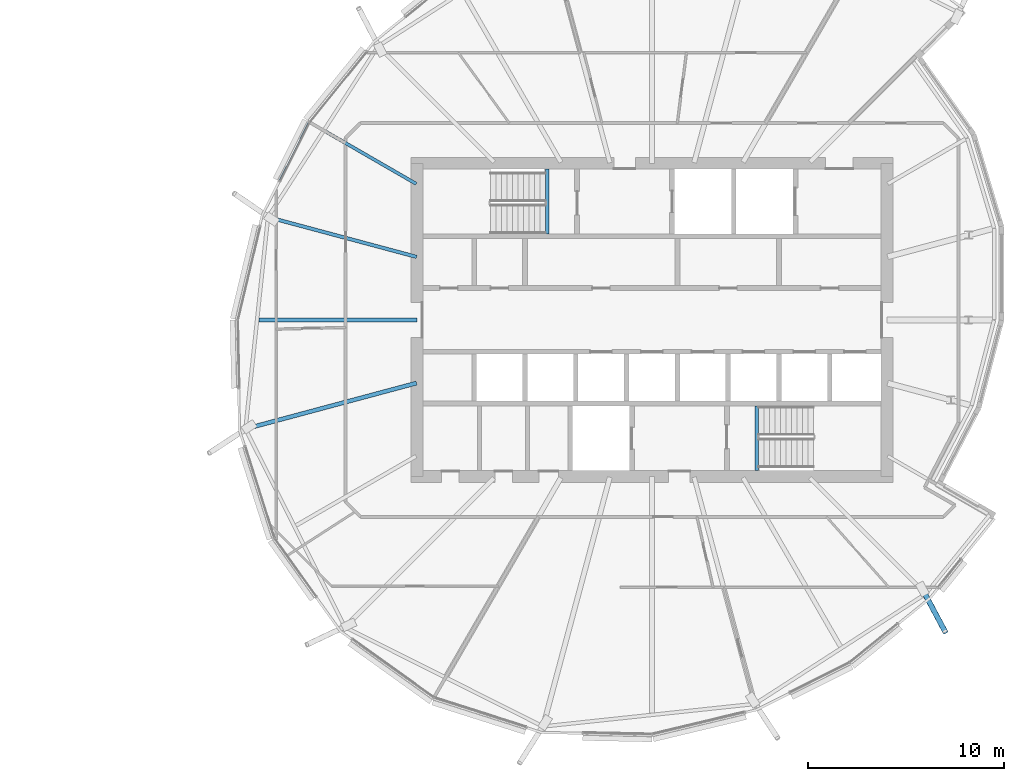
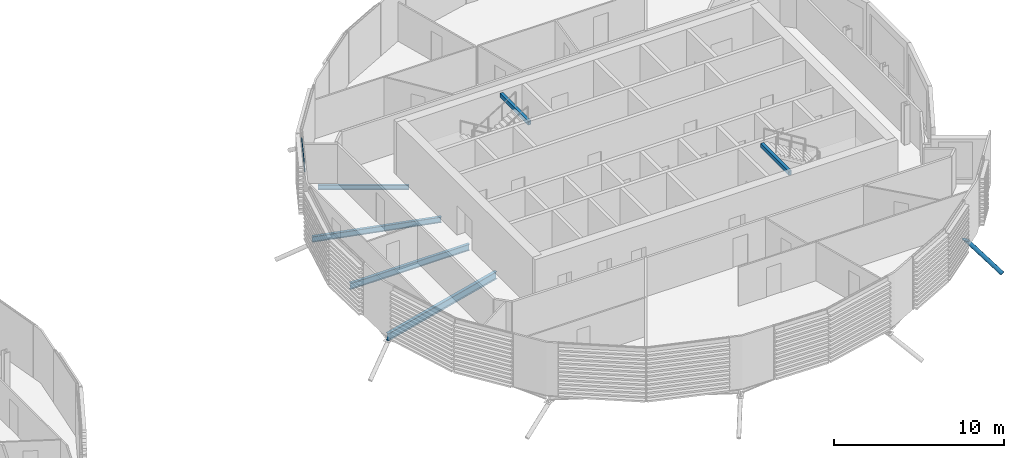
# One storey, part 14 of 37: 6 beams, 2 members, 1 element without a shape of its own.
"""IFC4 building model written with IfcOpenShell, lengths in metres."""

import ifcopenshell
import ifcopenshell.guid

model = None  # the IFC model being written
_history = None  # IfcOwnerHistory: only IFC2X3 demands one
_inside = {}  # id of a spatial element -> (the spatial element, [elements in it])
_under = {}  # id of a project, library or spatial element -> (it, [spatial elements below it])
_declared = {}  # id of a project -> (the project, [libraries it declares])
_typed = {}  # id of a type object -> (the type object, [elements of that type])
_made_of = {}  # id of a material, layer set ... -> (it, [elements and type objects made of it])


def new_model(schema):
    """Start an empty IFC model of exactly this schema.

    Asked for "IFC4X3", IfcOpenShell would pick the latest addendum, in which some entities
    have other attributes; the version numbers below select the first issue.
    IFC2X3 requires an IfcOwnerHistory on every rooted entity: one is made here for all.
    """
    global model, _history
    if schema == "IFC4X3":
        model = ifcopenshell.file(schema_version=(4, 3, 0, 0))
    else:
        model = ifcopenshell.file(schema=schema)
    _inside.clear()
    _under.clear()
    _declared.clear()
    _typed.clear()
    _made_of.clear()
    _history = None
    if model.schema == "IFC2X3":
        org = make("IfcOrganization", Name="unknown")
        user = make(
            "IfcPersonAndOrganization",
            ThePerson=make("IfcPerson", FamilyName="unknown"),
            TheOrganization=org,
        )
        app = make(
            "IfcApplication",
            ApplicationDeveloper=org,
            Version="unknown",
            ApplicationFullName="unknown",
            ApplicationIdentifier="unknown",
        )
        _history = make(
            "IfcOwnerHistory",
            OwningUser=user,
            OwningApplication=app,
            ChangeAction="ADDED",
            CreationDate=0,
        )
    return model


def make(cls, **values):
    """One entity of the class cls with the attributes given. An attribute that is None is left unset."""
    return model.create_entity(
        cls, **{name: value for name, value in values.items() if value is not None}
    )


def rooted(cls, **values):
    """An entity with a GlobalId (a new one), such as an element, a storey or a relation."""
    return make(cls, GlobalId=ifcopenshell.guid.new(), OwnerHistory=_history, **values)


def si_unit(unit_type, name, prefix=None):
    """IfcSIUnit, for example si_unit("LENGTHUNIT", "METRE", prefix="MILLI")."""
    return make("IfcSIUnit", UnitType=unit_type, Prefix=prefix, Name=name)


def assignment(units):
    """IfcUnitAssignment: the units of a project."""
    return None if units is None else make("IfcUnitAssignment", Units=units)


def point(xyz):
    """IfcCartesianPoint."""
    return None if xyz is None else make("IfcCartesianPoint", Coordinates=xyz)


def direction(xyz):
    """IfcDirection."""
    return None if xyz is None else make("IfcDirection", DirectionRatios=xyz)


def frame(location, z_axis=None, x_axis=None):
    """IfcAxis2Placement3D, a coordinate frame: its origin and axes. An axis left out is left unset."""
    return make(
        "IfcAxis2Placement3D",
        Location=point(location),
        Axis=direction(z_axis),
        RefDirection=direction(x_axis),
    )


def frame_2d(location, x_axis=None):
    """IfcAxis2Placement2D, a coordinate frame in the plane: its origin and x axis."""
    return make(
        "IfcAxis2Placement2D", Location=point(location), RefDirection=direction(x_axis)
    )


def origin():
    """The frame at (0, 0, 0) with its axes left unset."""
    return frame((0.0, 0.0, 0.0))


def origin_2d():
    """The frame at (0, 0) in the plane with its x axis left unset."""
    return frame_2d((0.0, 0.0))


def place(relative_to, where):
    """IfcLocalPlacement: puts the frame where relative to a parent placement (None: the world)."""
    return make(
        "IfcLocalPlacement", PlacementRelTo=relative_to, RelativePlacement=where
    )


def context(
    kind, dimensions, precision=None, world=None, true_north=None, identifier=None
):
    """IfcGeometricRepresentationContext, for example the 3D "Model" context."""
    return make(
        "IfcGeometricRepresentationContext",
        ContextIdentifier=identifier,
        ContextType=kind,
        CoordinateSpaceDimension=dimensions,
        Precision=precision,
        WorldCoordinateSystem=world,
        TrueNorth=true_north,
    )


def subcontext(parent, identifier, kind, view, scale=None):
    """IfcGeometricRepresentationSubContext, for example "Body" below "Model"."""
    return make(
        "IfcGeometricRepresentationSubContext",
        ContextIdentifier=identifier,
        ContextType=kind,
        ParentContext=parent,
        TargetScale=scale,
        TargetView=view,
    )


def project(units=None, contexts=None):
    """IfcProject with its units and contexts."""
    return rooted(
        "IfcProject",
        Name="project",
        RepresentationContexts=contexts,
        UnitsInContext=assignment(units),
    )


def spatial(cls, under=None, at=None, **own):
    """A site, building, storey or space (cls), placed at a placement, below another one or the project."""
    s = rooted(cls, ObjectPlacement=at, **own)
    if under is not None:
        _under.setdefault(under.id(), (under, []))[1].append(s)
    return s


def profile(cls, at=None, kind="AREA", **sizes):
    """A parametric profile (cls). Its sizes go by their IFC names, for example OverallWidth=200.0."""
    return make(cls, ProfileType=kind, Position=at, **sizes)


def rectangle(**sizes):
    """IfcRectangleProfileDef."""
    return profile("IfcRectangleProfileDef", **sizes)


def hollow_rectangle(**sizes):
    """IfcRectangleHollowProfileDef."""
    return profile("IfcRectangleHollowProfileDef", **sizes)


def hollow_circle(**sizes):
    """IfcCircleHollowProfileDef."""
    return profile("IfcCircleHollowProfileDef", **sizes)


def i_section(**sizes):
    """IfcIShapeProfileDef."""
    return profile("IfcIShapeProfileDef", **sizes)


def extrude(swept, where, along, depth):
    """IfcExtrudedAreaSolid: the profile swept, set in the frame where, extruded along a direction by depth."""
    return make(
        "IfcExtrudedAreaSolid",
        SweptArea=swept,
        Position=where,
        ExtrudedDirection=direction(along),
        Depth=depth,
    )


def clip(a, b, op="DIFFERENCE"):
    """IfcBooleanClippingResult: the solid a cut by the half space b."""
    return make(
        "IfcBooleanClippingResult", Operator=op, FirstOperand=a, SecondOperand=b
    )


def halfspace(plane, agree):
    """IfcHalfSpaceSolid: all space on one side of the plane z = 0 of the frame plane."""
    return make(
        "IfcHalfSpaceSolid",
        BaseSurface=make("IfcPlane", Position=plane),
        AgreementFlag=agree,
    )


def shape(context_of_items, identifier, shape_type, items):
    """IfcShapeRepresentation: the items that make up one representation, for example the "Body"."""
    return make(
        "IfcShapeRepresentation",
        ContextOfItems=context_of_items,
        RepresentationIdentifier=identifier,
        RepresentationType=shape_type,
        Items=items,
    )


def material(Name=None, Category=None):
    """IfcMaterial."""
    return make("IfcMaterial", Name=Name, Category=Category)


def material_profile(
    of_material, cross_section, Name=None, Category=None, Priority=None
):
    """IfcMaterialProfile: a cross section and its material."""
    return make(
        "IfcMaterialProfile",
        Name=Name,
        Material=of_material,
        Profile=cross_section,
        Priority=Priority,
        Category=Category,
    )


def profile_set(profiles, Name=None, composite=None):
    """IfcMaterialProfileSet."""
    return make(
        "IfcMaterialProfileSet",
        Name=Name,
        MaterialProfiles=profiles,
        CompositeProfile=composite,
    )


def made_of(thing, what):
    """Note that an element or type object is made of a material, layer set ...; save() writes the relation."""
    if what is not None:
        _made_of.setdefault(what.id(), (what, []))[1].append(thing)
    return thing


def type_object(cls, material=None, **own):
    """A type object (cls), such as IfcWallType, which elements share."""
    return made_of(rooted(cls, **own), material)


def element(
    cls,
    number,
    at=None,
    inside=None,
    cuts=None,
    type_object=None,
    material=None,
    context=None,
    identifier="Body",
    shape_type=None,
    held_by="IfcProductDefinitionShape",
    body=None,
    shapes=None,
    **own,
):
    """One element of the class cls, such as IfcWall. Its Tag is "e" and its number.

    at: its placement. inside: the storey or other place that contains it. cuts: it is an
    opening in that element (IfcRelVoidsElement). A single representation is given by context,
    identifier, shape_type and body (its items); several are given by shapes. held_by: the class
    of the entity that holds the representations. save() writes the other relations.
    """
    e = rooted(cls, Tag="e%d" % number, ObjectPlacement=at, **own)
    if body is not None:
        shapes = [shape(context, identifier, shape_type, body)]
    if shapes is not None:
        e.Representation = make(held_by, Representations=shapes)
    if inside is not None:
        _inside.setdefault(inside.id(), (inside, []))[1].append(e)
    if cuts is not None:
        rooted(
            "IfcRelVoidsElement", RelatingBuildingElement=cuts, RelatedOpeningElement=e
        )
    if type_object is not None:
        _typed.setdefault(type_object.id(), (type_object, []))[1].append(e)
    return made_of(e, material)


def aggregate(whole, parts):
    """IfcRelAggregates: a whole, such as a stair, and the parts it consists of."""
    return rooted("IfcRelAggregates", RelatingObject=whole, RelatedObjects=parts)


def save(model, path):
    """Write the relations noted so far, then the file.

    IfcRelAggregates (storeys below a building ...), IfcRelContainedInSpatialStructure (elements
    in a storey), IfcRelDefinesByType, IfcRelAssociatesMaterial and IfcRelDeclares: one each for
    every whole, place, type object, material and project.
    """
    for whole, parts in _under.values():
        aggregate(whole, parts)
    for where, things in _inside.values():
        rooted(
            "IfcRelContainedInSpatialStructure",
            RelatedElements=things,
            RelatingStructure=where,
        )
    for kind, things in _typed.values():
        rooted("IfcRelDefinesByType", RelatedObjects=things, RelatingType=kind)
    for what, things in _made_of.values():
        rooted("IfcRelAssociatesMaterial", RelatedObjects=things, RelatingMaterial=what)
    for by, libraries in _declared.values():
        rooted("IfcRelDeclares", RelatingContext=by, RelatedDefinitions=libraries)
    model.write(path)


model = new_model("IFC4")

# Units and contexts
model_context = context("Model", 3, precision=1e-05, world=origin(), true_north=direction((0.0, 1.0)))
body_context = subcontext(model_context, "Body", "Model", "MODEL_VIEW")
ifc_project = project(units=[si_unit("LENGTHUNIT", "METRE"), si_unit("AREAUNIT", "SQUARE_METRE"), si_unit("VOLUMEUNIT", "CUBIC_METRE"), si_unit("PLANEANGLEUNIT", "RADIAN"), si_unit("MASSUNIT", "GRAM", prefix="KILO")], contexts=[model_context])

# Site, building, storey
site_placement = place(None, origin())
site = spatial("IfcSite", under=ifc_project, at=site_placement, CompositionType="ELEMENT")
building_placement = place(site_placement, origin())
building = spatial("IfcBuilding", under=site, at=building_placement, Name="Rimbun Link Towers", CompositionType="ELEMENT")
storey_placement = place(building_placement, frame((0.0, 0.0, 162.699951171875)))
storey = spatial("IfcBuildingStorey", under=building, at=storey_placement, Name="L39", CompositionType="ELEMENT", Elevation=162.699951171875)

# Curtain wall, member
ifc_material_1 = material(Name="Aluminium 6063-T6 and low-iron glass", Category="aluminium")
curtain_wall_type = type_object("IfcCurtainWallType", Name="CW1-Z3 unitised vision wall (zone 3)", PredefinedType="NOTDEFINED", material=ifc_material_1)
curtain_wall_placement = place(storey_placement, origin())
curtain_wall = element("IfcCurtainWall", 1, at=curtain_wall_placement, inside=storey, type_object=curtain_wall_type, Name="CW1 L39 T2", PredefinedType="NOTDEFINED")
ifc_material_2 = material(Name="Aluminium 6063-T6", Category="aluminium")
ifc_material_profile_1 = material_profile(ifc_material_2, rectangle(XDim=0.06005859375, YDim=0.1201171875, at=origin_2d()), Name="TRANSOM 60X120")
ifc_profile_set_1 = profile_set([ifc_material_profile_1], Name="Aluminium 6063-T6")
member_type_1 = type_object("IfcMemberType", Name="CW1 transom 60X120", PredefinedType="USERDEFINED", material=ifc_profile_set_1)
member_1_placement = place(storey_placement, frame((12.727294921875, 7.11669921875, 3.199951171875), z_axis=(0.448742327338, 0.893661190639, 0.0), x_axis=(-0.893661190639, 0.448742327338, 0.0)))
member_1 = element("IfcMember", 2, at=member_1_placement, type_object=member_type_1, Name="CW1 transom", ObjectType="TRANSOM", PredefinedType="USERDEFINED", context=body_context, shape_type="SweptSolid", body=[
    extrude(rectangle(XDim=0.06005859375, YDim=0.1201171875, at=origin_2d()), origin(), (0.0, 0.0, 1.0), 3.3203125),
])
aggregate(curtain_wall, [member_1])

# Member
ifc_material_3 = material(Name="Steel S355J2H", Category="steel")
ifc_material_profile_2 = material_profile(ifc_material_3, hollow_circle(Radius=0.136474609375, WallThickness=0.012451171875, at=origin_2d()), Name="CHS 273x12.5")
ifc_profile_set_2 = profile_set([ifc_material_profile_2], Name="Steel S355J2H")
member_type_2 = type_object("IfcMemberType", Name="Floor edge link CHS 273x12.5", PredefinedType="BRACE", material=ifc_profile_set_2)
member_2_placement = place(storey_placement, frame((45.6376953125, -13.8876953125, -0.720458984375), z_axis=(0.405726578047, -0.759476194386, -0.5085094434), x_axis=(0.88202838179, 0.471196279396, 0.0)))
element("IfcMember", 3, at=member_2_placement, inside=storey, type_object=member_type_2, Name="Floor edge link T2 L39 18", PredefinedType="BRACE", context=body_context, shape_type="Clipping", body=[
    clip(extrude(hollow_circle(Radius=0.136474609375, WallThickness=0.012451171875, at=origin_2d()), frame((0.0, 0.0, -0.48193359375)), (0.0, 0.0, 1.0), 3.192138671875), halfspace(frame((0.0, 0.0, -0.226318359375), z_axis=(0.0, 0.86105641277, -0.5085094434)), False)),
])

# Beams
ifc_material_4 = material(Name="Steel S355J2", Category="steel")
ifc_material_profile_3 = material_profile(ifc_material_4, hollow_rectangle(XDim=0.199951171875, YDim=0.300048828125, WallThickness=0.011962890625, at=origin_2d()), Name="BOX 300x200x12")
ifc_profile_set_3 = profile_set([ifc_material_profile_3], Name="Steel S355J2")
beam_type_1 = type_object("IfcBeamType", Name="Stair trimmer beam BOX 300x200x12", PredefinedType="BEAM", material=ifc_profile_set_3)
for number, where, z_axis, x_axis, name in (
    (4, (26.39990234375, 7.699951171875, 3.5), (0.0, -1.0, 0.0), (1.0, 0.0, 0.0), "L39 ST3 stair beam 1"),
    (5, (37.10009765625, -7.699951171875, 3.5), (0.0, 1.0, 0.0), (-1.0, 0.0, 0.0), "L39 ST4 stair beam 1"),
):
    element("IfcBeam", number, at=place(storey_placement, frame(where, z_axis=z_axis, x_axis=x_axis)), inside=storey, type_object=beam_type_1, Name=name, PredefinedType="BEAM", context=body_context, shape_type="SweptSolid", body=[
        extrude(hollow_rectangle(XDim=0.199951171875, YDim=0.300048828125, WallThickness=0.011962890625, at=origin_2d()), origin(), (0.0, 0.0, 1.0), 3.300048828125),
    ])
ifc_material_5 = material(Name="Steel S355J2", Category="steel")
ifc_material_profile_4 = material_profile(ifc_material_5, i_section(OverallWidth=0.1650390625, OverallDepth=0.303466796875, WebThickness=0.006103515625, FlangeThickness=0.01025390625, at=origin_2d()), Name="UB 305x165x40")
ifc_profile_set_4 = profile_set([ifc_material_profile_4], Name="Steel S355J2")
beam_type_2 = type_object("IfcBeamType", Name="UB 305x165x40", PredefinedType="BEAM", material=ifc_profile_set_4)
beam_1_placement = place(storey_placement, frame((19.7080078125, 6.952392578125, -0.3017578125), z_axis=(-0.86601800529, 0.500012814349, 0.0), x_axis=(-0.500012814349, -0.86601800529, 0.0)))
element("IfcBeam", 6, at=beam_1_placement, inside=storey, type_object=beam_type_2, Name="Radial beam T2 L39 07", PredefinedType="BEAM", context=body_context, shape_type="SweptSolid", body=[
    extrude(i_section(OverallWidth=0.1650390625, OverallDepth=0.303466796875, WebThickness=0.006103515625, FlangeThickness=0.01025390625, at=origin_2d()), origin(), (0.0, 0.0, 1.0), 5.361572265625),
])
ifc_material_6 = material(Name="Steel S355J2", Category="steel")
ifc_material_profile_5 = material_profile(ifc_material_6, i_section(OverallWidth=0.177978515625, OverallDepth=0.406494140625, WebThickness=0.0078125, FlangeThickness=0.0126953125, at=origin_2d()), Name="UB 406x178x60")
ifc_profile_set_5 = profile_set([ifc_material_profile_5], Name="Steel S355J2")
beam_type_3 = type_object("IfcBeamType", Name="UB 406x178x60", PredefinedType="BEAM", material=ifc_profile_set_5)
beam_2_placement = place(storey_placement, frame((19.72607421875, 3.2216796875, -0.353271484375), z_axis=(-0.96591753434, 0.258849989096, 0.0), x_axis=(-0.258849989096, -0.96591753434, 0.0)))
element("IfcBeam", 7, at=beam_2_placement, inside=storey, type_object=beam_type_3, Name="Radial beam T2 L39 08", PredefinedType="BEAM", context=body_context, shape_type="SweptSolid", body=[
    extrude(i_section(OverallWidth=0.177978515625, OverallDepth=0.406494140625, WebThickness=0.0078125, FlangeThickness=0.0126953125, at=origin_2d()), origin(), (0.0, 0.0, 1.0), 7.856689453125),
])
ifc_material_7 = material(Name="Steel S355J2", Category="steel")
ifc_material_profile_6 = material_profile(ifc_material_7, i_section(OverallWidth=0.18994140625, OverallDepth=0.453369140625, WebThickness=0.008544921875, FlangeThickness=0.0126953125, at=origin_2d()), Name="UB 457x191x67")
ifc_profile_set_6 = profile_set([ifc_material_profile_6], Name="Steel S355J2")
beam_type_4 = type_object("IfcBeamType", Name="UB 457x191x67", PredefinedType="BEAM", material=ifc_profile_set_6)
beam_3_placement = place(storey_placement, frame((19.7490234375, 0.0, -0.376708984375), z_axis=(-1.0, 0.0, 0.0), x_axis=(0.0, -1.0, 0.0)))
element("IfcBeam", 8, at=beam_3_placement, inside=storey, type_object=beam_type_4, Name="Radial beam T2 L39 09", PredefinedType="BEAM", context=body_context, shape_type="SweptSolid", body=[
    extrude(i_section(OverallWidth=0.18994140625, OverallDepth=0.453369140625, WebThickness=0.008544921875, FlangeThickness=0.0126953125, at=origin_2d()), origin(), (0.0, 0.0, 1.0), 8.0810546875),
])
ifc_material_8 = material(Name="Steel S355J2", Category="steel")
ifc_material_profile_7 = material_profile(ifc_material_8, i_section(OverallWidth=0.209228515625, OverallDepth=0.533203125, WebThickness=0.010009765625, FlangeThickness=0.015625, at=origin_2d()), Name="UB 533x210x92")
ifc_profile_set_7 = profile_set([ifc_material_profile_7], Name="Steel S355J2")
beam_type_5 = type_object("IfcBeamType", Name="UB 533x210x92", PredefinedType="BEAM", material=ifc_profile_set_7)
beam_4_placement = place(storey_placement, frame((19.721923828125, -3.222900390625, -0.41650390625), z_axis=(-0.965924677785, -0.258823331339, 0.0), x_axis=(0.258823331339, -0.965924677785, 0.0)))
element("IfcBeam", 9, at=beam_4_placement, inside=storey, type_object=beam_type_5, Name="Radial beam T2 L39 10", PredefinedType="BEAM", context=body_context, shape_type="SweptSolid", body=[
    extrude(i_section(OverallWidth=0.209228515625, OverallDepth=0.533203125, WebThickness=0.010009765625, FlangeThickness=0.015625, at=origin_2d()), origin(), (0.0, 0.0, 1.0), 9.044921875),
])

save(model, "model.ifc")
